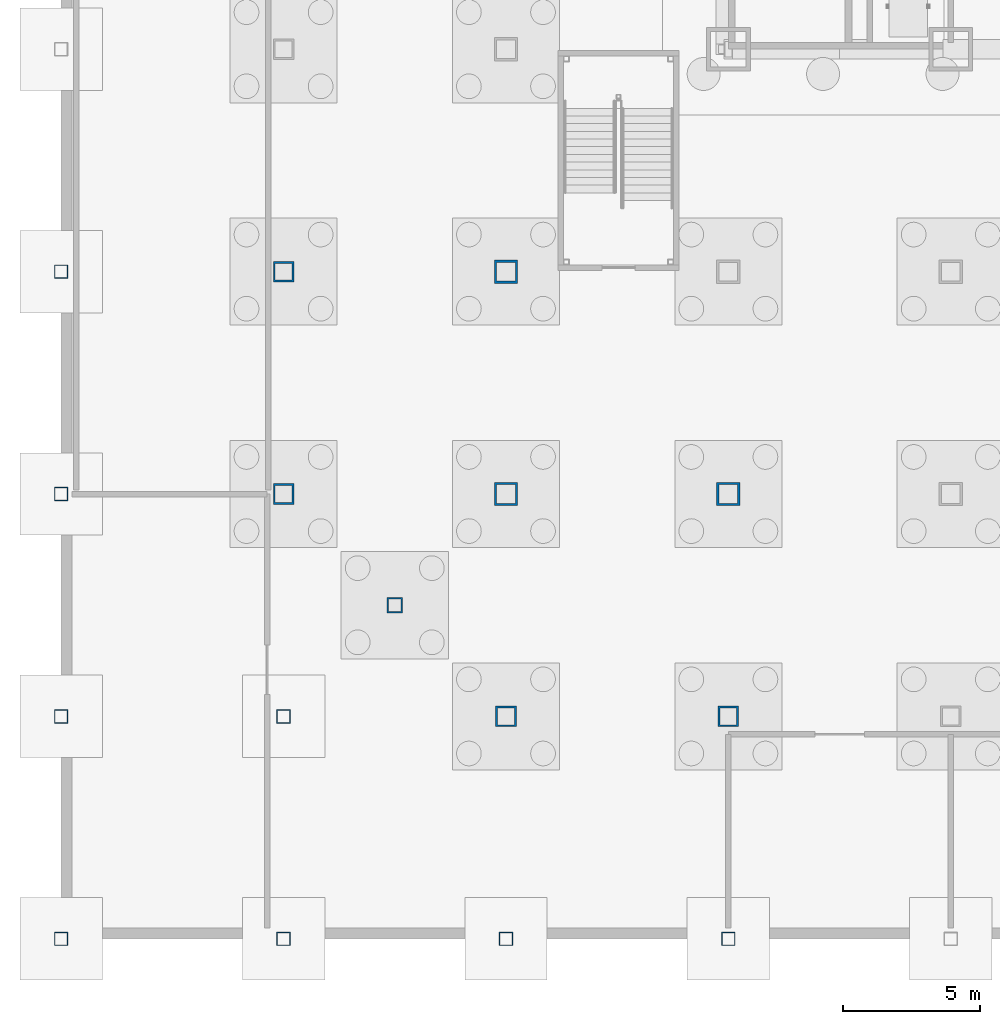
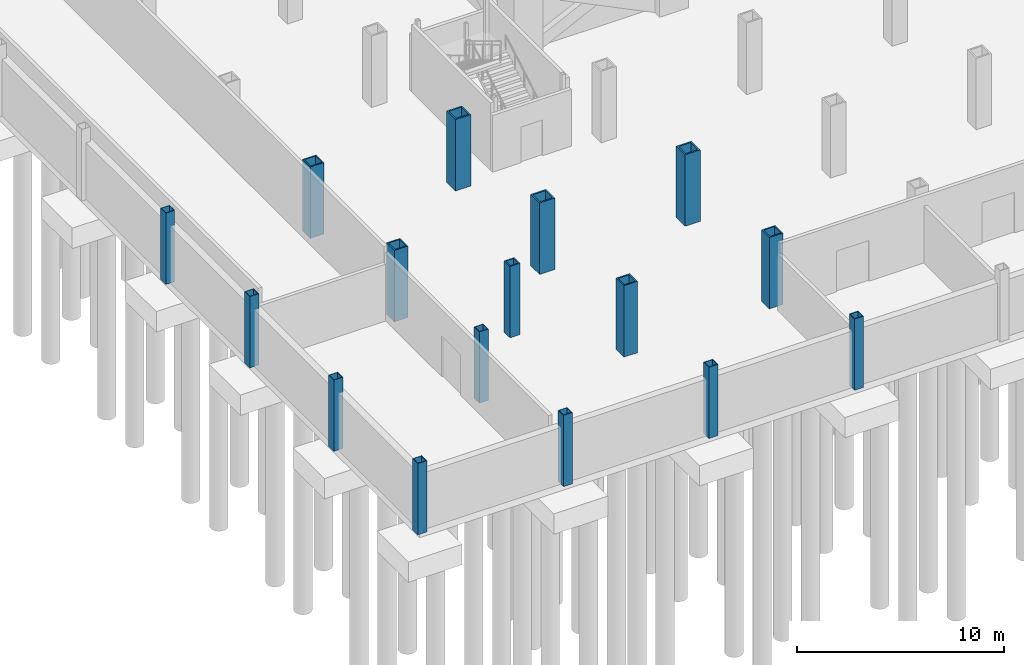
# One storey, part 3 of 17: 16 columns.
"""IFC4 building model written with IfcOpenShell, lengths in metres."""

from ifc_helpers import new_model, si_unit, direction, frame, origin, origin_2d, place, context, subcontext, project, spatial, hollow_rectangle, extrude, material, material_profile, profile_set, type_object, element, save


model = new_model("IFC4")

# Units and contexts
model_context = context("Model", 3, precision=1e-05, world=origin(), true_north=direction((0.0, 1.0)))
body_context = subcontext(model_context, "Body", "Model", "MODEL_VIEW")
ifc_project = project(units=[si_unit("LENGTHUNIT", "METRE"), si_unit("AREAUNIT", "SQUARE_METRE"), si_unit("VOLUMEUNIT", "CUBIC_METRE"), si_unit("PLANEANGLEUNIT", "RADIAN"), si_unit("MASSUNIT", "GRAM", prefix="KILO")], contexts=[model_context])

# Site, building, storey
site_placement = place(None, origin())
site = spatial("IfcSite", under=ifc_project, at=site_placement, CompositionType="ELEMENT")
building_placement = place(site_placement, origin())
building = spatial("IfcBuilding", under=site, at=building_placement, Name="Kopane Lantern Tower", CompositionType="ELEMENT")
storey_placement = place(building_placement, frame((0.0, 0.0, -8.39990234375)))
storey = spatial("IfcBuildingStorey", under=building, at=storey_placement, Name="L-02", CompositionType="ELEMENT", Elevation=-8.39990234375)

# Columns
ifc_material_1 = material(Name="Steel S355JR", Category="steel")
ifc_material_profile_1 = material_profile(ifc_material_1, hollow_rectangle(XDim=0.5, YDim=0.5, WallThickness=0.030029296875, at=origin_2d()), Name="BOX 500x500x30")
ifc_profile_set_1 = profile_set([ifc_material_profile_1], Name="Steel S355JR")
column_type_1 = type_object("IfcColumnType", Name="COLUMN BOX 500x500x30", PredefinedType="COLUMN", material=ifc_profile_set_1)
for number, where, z_axis, x_axis, name in (
    (1, (-8.10009765625, -8.10009765625, 0.0), (0.0, 0.0, 1.0), (1.0, 0.0, 0.0), "Column 1/A L-02"),
    (2, (-8.10009765625, 0.0, 0.0), (0.0, 0.0, 1.0), (1.0, 0.0, 0.0), "Column 1/B L-02"),
    (3, (-8.10009765625, 8.10009765625, 0.0), (0.0, 0.0, 1.0), (1.0, 0.0, 0.0), "Column 1/C L-02"),
    (4, (-8.10009765625, 16.199951171875, 0.0), (0.0, 0.0, 1.0), (1.0, 0.0, 0.0), "Column 1/D L-02"),
    (5, (0.0, -8.10009765625, 0.0), (0.0, 0.0, 1.0), (1.0, 0.0, 0.0), "Column 2/A L-02"),
    (6, (0.0, 0.0, 0.0), (0.0, 0.0, 1.0), (1.0, 0.0, 0.0), "Column 2/B L-02"),
    (7, (8.10009765625, -8.10009765625, 0.0), (0.0, 0.0, 1.0), (1.0, 0.0, 0.0), "Column 3/A L-02"),
    (8, (16.199951171875, -8.10009765625, 0.0), (0.0, 0.0, 1.0), (1.0, 0.0, 0.0), "Column 4/A L-02"),
):
    element("IfcColumn", number, at=place(storey_placement, frame(where, z_axis=z_axis, x_axis=x_axis)), inside=storey, type_object=column_type_1, Name=name, PredefinedType="COLUMN", context=body_context, shape_type="SweptSolid", body=[
        extrude(hollow_rectangle(XDim=0.5, YDim=0.5, WallThickness=0.030029296875, at=origin_2d()), origin(), (0.0, 0.0, 1.0), 4.199951171875),
    ])
ifc_material_2 = material(Name="Steel S355JR", Category="steel")
ifc_material_profile_2 = material_profile(ifc_material_2, hollow_rectangle(XDim=0.550048828125, YDim=0.550048828125, WallThickness=0.050048828125, at=origin_2d()), Name="BOX 550x550x50")
ifc_profile_set_2 = profile_set([ifc_material_profile_2], Name="Steel S355JR")
column_type_2 = type_object("IfcColumnType", Name="COLUMN BOX 550x550x50", PredefinedType="COLUMN", material=ifc_profile_set_2)
column_placement = place(storey_placement, frame((4.050048828125, 4.050048828125, 0.0), z_axis=(0.0, 0.0, 1.0), x_axis=(1.0, 0.0, 0.0)))
element("IfcColumn", 9, at=column_placement, inside=storey, type_object=column_type_2, Name="Column 4.05/4.05 L-02", PredefinedType="COLUMN", context=body_context, shape_type="SweptSolid", body=[
    extrude(hollow_rectangle(XDim=0.550048828125, YDim=0.550048828125, WallThickness=0.050048828125, at=origin_2d()), origin(), (0.0, 0.0, 1.0), 4.199951171875),
])
ifc_material_3 = material(Name="Steel S355JR", Category="steel")
ifc_material_profile_3 = material_profile(ifc_material_3, hollow_rectangle(XDim=0.75, YDim=0.75, WallThickness=0.070068359375, at=origin_2d()), Name="BOX 750x750x70")
ifc_profile_set_3 = profile_set([ifc_material_profile_3], Name="Steel S355JR")
column_type_3 = type_object("IfcColumnType", Name="COLUMN BOX 750x750x70", PredefinedType="COLUMN", material=ifc_profile_set_3)
for number, where, z_axis, x_axis, name in (
    (10, (0.0, 8.10009765625, 0.0), (0.0, 0.0, 1.0), (1.0, 0.0, 0.0), "Column 2/C L-02"),
    (11, (0.0, 16.199951171875, 0.0), (0.0, 0.0, 1.0), (1.0, 0.0, 0.0), "Column 2/D L-02"),
    (12, (8.10009765625, 0.0, 0.0), (0.0, 0.0, 1.0), (1.0, 0.0, 0.0), "Column 3/B L-02"),
    (13, (16.199951171875, 0.0, 0.0), (0.0, 0.0, 1.0), (1.0, 0.0, 0.0), "Column 4/B L-02"),
):
    element("IfcColumn", number, at=place(storey_placement, frame(where, z_axis=z_axis, x_axis=x_axis)), inside=storey, type_object=column_type_3, Name=name, PredefinedType="COLUMN", context=body_context, shape_type="SweptSolid", body=[
        extrude(hollow_rectangle(XDim=0.75, YDim=0.75, WallThickness=0.070068359375, at=origin_2d()), origin(), (0.0, 0.0, 1.0), 4.199951171875),
    ])
ifc_material_4 = material(Name="Steel S355JR", Category="steel")
ifc_material_profile_4 = material_profile(ifc_material_4, hollow_rectangle(XDim=0.85009765625, YDim=0.85009765625, WallThickness=0.0849609375, at=origin_2d()), Name="BOX 850x850x85")
ifc_profile_set_4 = profile_set([ifc_material_profile_4], Name="Steel S355JR")
column_type_4 = type_object("IfcColumnType", Name="COLUMN BOX 850x850x85", PredefinedType="COLUMN", material=ifc_profile_set_4)
for number, where, z_axis, x_axis, name in (
    (14, (8.10009765625, 8.10009765625, 0.0), (0.0, 0.0, 1.0), (1.0, 0.0, 0.0), "Column 3/C L-02"),
    (15, (8.10009765625, 16.199951171875, 0.0), (0.0, 0.0, 1.0), (1.0, 0.0, 0.0), "Column 3/D L-02"),
    (16, (16.199951171875, 8.10009765625, 0.0), (0.0, 0.0, 1.0), (1.0, 0.0, 0.0), "Column 4/C L-02"),
):
    element("IfcColumn", number, at=place(storey_placement, frame(where, z_axis=z_axis, x_axis=x_axis)), inside=storey, type_object=column_type_4, Name=name, PredefinedType="COLUMN", context=body_context, shape_type="SweptSolid", body=[
        extrude(hollow_rectangle(XDim=0.85009765625, YDim=0.85009765625, WallThickness=0.0849609375, at=origin_2d()), origin(), (0.0, 0.0, 1.0), 4.199951171875),
    ])

save(model, "model.ifc")
